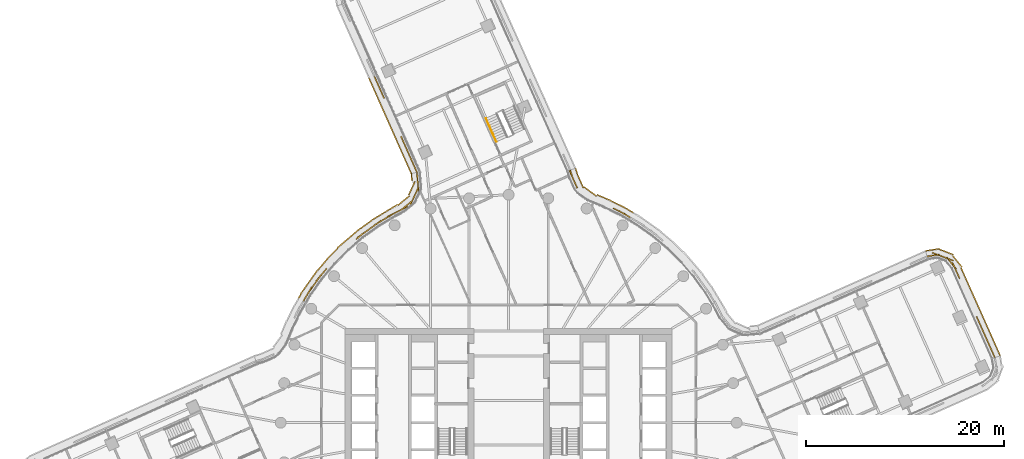
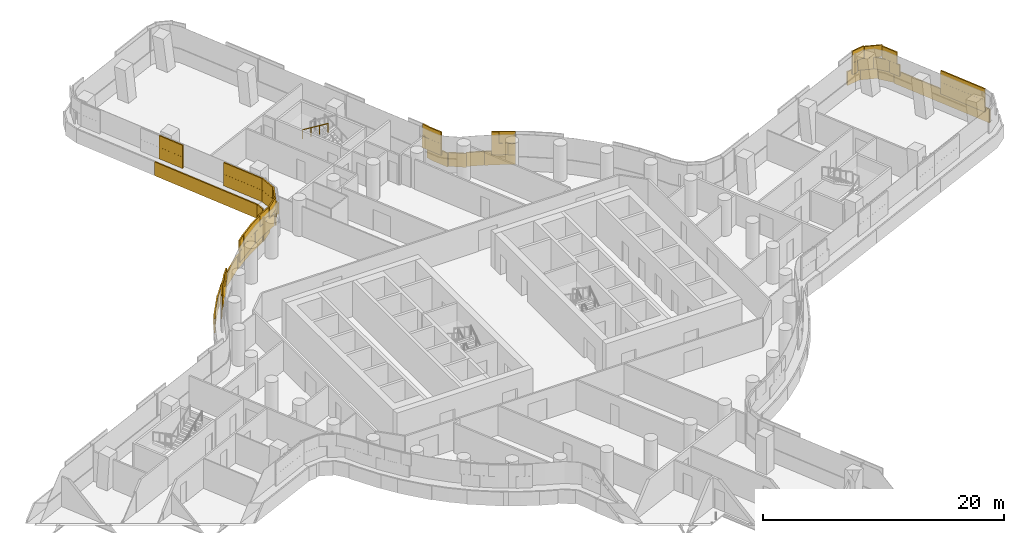
# One storey, part 33 of 35: 4 coverings, 1 railing.
"""IFC4 building model written with IfcOpenShell, lengths in metres."""

from ifc_helpers import new_model, si_unit, direction, frame, origin, origin_2d, place, context, subcontext, project, spatial, rectangle, circle, extrude, material, layer, layer_set, type_object, element, save


model = new_model("IFC4")

# Units and contexts
model_context = context("Model", 3, precision=1e-05, world=origin(), true_north=direction((0.0, 1.0)))
body_context = subcontext(model_context, "Body", "Model", "MODEL_VIEW")
ifc_project = project(units=[si_unit("LENGTHUNIT", "METRE"), si_unit("AREAUNIT", "SQUARE_METRE"), si_unit("VOLUMEUNIT", "CUBIC_METRE"), si_unit("PLANEANGLEUNIT", "RADIAN"), si_unit("MASSUNIT", "GRAM", prefix="KILO")], contexts=[model_context])

# Site, building, storey
site_placement = place(None, origin())
site = spatial("IfcSite", under=ifc_project, at=site_placement, CompositionType="ELEMENT")
building_placement = place(site_placement, origin())
building = spatial("IfcBuilding", under=site, at=building_placement, Name="Tamarind Cross Interchange Tower", CompositionType="ELEMENT")
storey_placement = place(building_placement, frame((0.0, 0.0, 121.0)))
storey = spatial("IfcBuildingStorey", under=building, at=storey_placement, Name="L29", CompositionType="ELEMENT", Elevation=121.0)

# Railing
ifc_material_1 = material(Name="Stair handrail")
railing_type = type_object("IfcRailingType", Name="Stair handrail", PredefinedType="HANDRAIL", material=ifc_material_1)
railing_placement = place(storey_placement, frame((-2.300048828125, 30.718994140625, 2.04541015625)))
element("IfcRailing", 1, at=railing_placement, inside=storey, type_object=railing_type, Name="L29 ST4 stair handrail 2", PredefinedType="HANDRAIL", context=body_context, shape_type="SweptSolid", body=[
    extrude(circle(Radius=0.02392578125, at=origin_2d()), frame((0.0, 0.0, 0.8759765625), z_axis=(0.340586139296, -0.763786209545, 0.548298921966), x_axis=(0.913311326305, 0.407262103864, 0.0)), (0.0, 0.0, 1.0), 3.10888671875),
    extrude(circle(Radius=0.02099609375, at=origin_2d()), origin(), (0.0, 0.0, 1.0), 0.851806640625),
    extrude(circle(Radius=0.02099609375, at=origin_2d()), frame((0.35302734375, -0.79150390625, 0.568115234375)), (0.0, 0.0, 1.0), 0.851806640625),
    extrude(circle(Radius=0.02099609375, at=origin_2d()), frame((0.705810546875, -1.5830078125, 1.136474609375)), (0.0, 0.0, 1.0), 0.851806640625),
    extrude(circle(Radius=0.02099609375, at=origin_2d()), frame((1.058837890625, -2.37451171875, 1.70458984375)), (0.0, 0.0, 1.0), 0.851806640625),
])

# Coverings
ifc_material_2 = material(Name="Terracotta", Category="masonry")
ifc_layer = layer(ifc_material_2, 0.1201171875)
ifc_layer_set = layer_set([ifc_layer], Name="Terracotta")
covering_type = type_object("IfcCoveringType", Name="Terracotta baguette screen unit", PredefinedType="MOLDING", material=ifc_layer_set)
covering_1_placement = place(storey_placement, origin())
element("IfcCovering", 2, at=covering_1_placement, inside=storey, type_object=covering_type, Name="SCR-L29-08-00", PredefinedType="MOLDING", context=body_context, shape_type="SweptSolid", body=[
    extrude(rectangle(XDim=0.760009765625, YDim=0.1201171875, at=origin_2d()), frame((48.896484375, 6.915283203125, 1.404052734375), z_axis=(0.0, 0.0, 1.0), x_axis=(-0.407221294835, 0.913329522698, 0.0)), (0.0, 0.0, 1.0), 1.1669921875),
    extrude(rectangle(XDim=1.52001953125, YDim=0.1201171875, at=origin_2d()), frame((48.4384765625, 7.94287109375, 1.404052734375), z_axis=(0.0, 0.0, 1.0), x_axis=(-0.407221294835, 0.913329522698, 0.0)), (0.0, 0.0, 1.0), 1.1669921875),
    extrude(rectangle(XDim=1.52001953125, YDim=0.1201171875, at=origin_2d()), frame((47.82763671875, 9.312744140625, 1.404052734375), z_axis=(0.0, 0.0, 1.0), x_axis=(-0.407221294835, 0.913329522698, 0.0)), (0.0, 0.0, 1.0), 1.1669921875),
    extrude(rectangle(XDim=0.784912109375, YDim=0.1201171875, at=origin_2d()), frame((47.364501953125, 10.3515625, 1.404052734375), z_axis=(0.0, 0.0, 1.0), x_axis=(-0.407221294835, 0.913329522698, 0.0)), (0.0, 0.0, 1.0), 1.1669921875),
    extrude(rectangle(XDim=1.03515625, YDim=0.1201171875, at=origin_2d()), frame((45.28759765625, 15.009765625, 1.404052734375), z_axis=(0.0, 0.0, 1.0), x_axis=(-0.407221294835, 0.913329522698, 0.0)), (0.0, 0.0, 1.0), 1.1669921875),
    extrude(rectangle(XDim=1.52001953125, YDim=0.1201171875, at=origin_2d()), frame((44.66748046875, 16.097900390625, 1.404052734375), z_axis=(0.0, 0.0, 1.0), x_axis=(-0.629732640625, 0.776811947212, 0.0)), (0.0, 0.0, 1.0), 1.1669921875),
    extrude(rectangle(XDim=1.52001953125, YDim=0.1201171875, at=origin_2d()), frame((43.44775390625, 16.8837890625, 1.404052734375), z_axis=(0.0, 0.0, 1.0), x_axis=(-0.93377043798, 0.357872559936, 0.0)), (0.0, 0.0, 1.0), 1.1669921875),
    extrude(rectangle(XDim=0.509521484375, YDim=0.1201171875, at=origin_2d()), frame((42.469970703125, 16.81884765625, 1.404052734375), z_axis=(0.0, 0.0, 1.0), x_axis=(-0.987605200561, -0.156958490768, 0.0)), (0.0, 0.0, 1.0), 1.1669921875),
    extrude(rectangle(XDim=1.510009765625, YDim=0.1201171875, at=origin_2d()), frame((48.743896484375, 7.2578125, 2.5791015625), z_axis=(0.0, 0.0, 1.0), x_axis=(-0.407221294835, 0.913329522698, 0.0)), (0.0, 0.0, 1.0), 1.1669921875),
    extrude(rectangle(XDim=1.52001953125, YDim=0.1201171875, at=origin_2d()), frame((48.133056640625, 8.6279296875, 2.5791015625), z_axis=(0.0, 0.0, 1.0), x_axis=(-0.407221294835, 0.913329522698, 0.0)), (0.0, 0.0, 1.0), 1.1669921875),
    extrude(rectangle(XDim=1.52001953125, YDim=0.1201171875, at=origin_2d()), frame((47.522216796875, 9.997802734375, 2.5791015625), z_axis=(0.0, 0.0, 1.0), x_axis=(-0.407221294835, 0.913329522698, 0.0)), (0.0, 0.0, 1.0), 1.1669921875),
    extrude(rectangle(XDim=1.52001953125, YDim=0.1201171875, at=origin_2d()), frame((45.078857421875, 15.477783203125, 2.5791015625), z_axis=(0.0, 0.0, 1.0), x_axis=(-0.407221294835, 0.913329522698, 0.0)), (0.0, 0.0, 1.0), 1.1669921875),
    extrude(rectangle(XDim=1.52001953125, YDim=0.1201171875, at=origin_2d()), frame((44.14794921875, 16.615478515625, 2.5791015625), z_axis=(0.0, 0.0, 1.0), x_axis=(-0.93377043798, 0.357872559936, 0.0)), (0.0, 0.0, 1.0), 1.1669921875),
    extrude(rectangle(XDim=1.259521484375, YDim=0.1201171875, at=origin_2d()), frame((42.84033203125, 16.877685546875, 2.5791015625), z_axis=(0.0, 0.0, 1.0), x_axis=(-0.987605200561, -0.156958490768, 0.0)), (0.0, 0.0, 1.0), 1.1669921875),
    extrude(rectangle(XDim=0.760009765625, YDim=0.1201171875, at=origin_2d()), frame((49.449462890625, 7.084716796875, 0.00390625), z_axis=(0.0, 0.0, 1.0), x_axis=(-0.407221294835, 0.913329522698, 0.0)), (0.0, 0.0, 1.0), 1.39208984375),
    extrude(rectangle(XDim=1.52001953125, YDim=0.1201171875, at=origin_2d()), frame((48.993408203125, 8.107666015625, 0.00390625), z_axis=(0.0, 0.0, 1.0), x_axis=(-0.407221294835, 0.913329522698, 0.0)), (0.0, 0.0, 1.0), 1.39208984375),
    extrude(rectangle(XDim=1.52001953125, YDim=0.1201171875, at=origin_2d()), frame((48.382568359375, 9.4775390625, 0.00390625), z_axis=(0.0, 0.0, 1.0), x_axis=(-0.407221294835, 0.913329522698, 0.0)), (0.0, 0.0, 1.0), 1.39208984375),
    extrude(rectangle(XDim=1.52001953125, YDim=0.1201171875, at=origin_2d()), frame((47.771728515625, 10.84765625, 0.00390625), z_axis=(0.0, 0.0, 1.0), x_axis=(-0.407221294835, 0.913329522698, 0.0)), (0.0, 0.0, 1.0), 1.39208984375),
    extrude(rectangle(XDim=1.52001953125, YDim=0.1201171875, at=origin_2d()), frame((47.160888671875, 12.217529296875, 0.00390625), z_axis=(0.0, 0.0, 1.0), x_axis=(-0.407221294835, 0.913329522698, 0.0)), (0.0, 0.0, 1.0), 1.39208984375),
    extrude(rectangle(XDim=1.52001953125, YDim=0.1201171875, at=origin_2d()), frame((46.550048828125, 13.587646484375, 0.00390625), z_axis=(0.0, 0.0, 1.0), x_axis=(-0.407221294835, 0.913329522698, 0.0)), (0.0, 0.0, 1.0), 1.39208984375),
    extrude(rectangle(XDim=1.52001953125, YDim=0.1201171875, at=origin_2d()), frame((45.939208984375, 14.95751953125, 0.00390625), z_axis=(0.0, 0.0, 1.0), x_axis=(-0.407221294835, 0.913329522698, 0.0)), (0.0, 0.0, 1.0), 1.39208984375),
    extrude(rectangle(XDim=1.52001953125, YDim=0.1201171875, at=origin_2d()), frame((45.256103515625, 16.283203125, 0.00390625), z_axis=(0.0, 0.0, 1.0), x_axis=(-0.629732640625, 0.776811947212, 0.0)), (0.0, 0.0, 1.0), 1.39208984375),
    extrude(rectangle(XDim=1.52001953125, YDim=0.1201171875, at=origin_2d()), frame((44.152099609375, 17.228515625, 0.00390625), z_axis=(0.0, 0.0, 1.0), x_axis=(-0.93377043798, 0.357872559936, 0.0)), (0.0, 0.0, 1.0), 1.39208984375),
    extrude(rectangle(XDim=1.426513671875, YDim=0.1201171875, at=origin_2d()), frame((42.763427734375, 17.446533203125, 0.00390625), z_axis=(0.0, 0.0, 1.0), x_axis=(-0.987605200561, -0.156958490768, 0.0)), (0.0, 0.0, 1.0), 1.39208984375),
])
covering_2_placement = place(storey_placement, origin())
element("IfcCovering", 3, at=covering_2_placement, inside=storey, type_object=covering_type, Name="SCR-L29-10-01", PredefinedType="MOLDING", context=body_context, shape_type="SweptSolid", body=[
    extrude(rectangle(XDim=0.607666015625, YDim=0.1201171875, at=origin_2d()), frame((12.00732421875, 20.857421875, 1.404052734375), z_axis=(0.0, 0.0, 1.0), x_axis=(-0.861248933065, 0.508183308752, 0.0)), (0.0, 0.0, 1.0), 1.1669921875),
    extrude(rectangle(XDim=1.363037109375, YDim=0.1201171875, at=origin_2d()), frame((11.158203125, 21.335693359375, 1.404052734375), z_axis=(0.0, 0.0, 1.0), x_axis=(-0.900272776334, 0.435326231914, 0.0)), (0.0, 0.0, 1.0), 1.1669921875),
    extrude(rectangle(XDim=0.45703125, YDim=0.1201171875, at=origin_2d()), frame((6.830322265625, 23.875, 1.404052734375), z_axis=(0.0, 0.0, 1.0), x_axis=(-0.405841213169, 0.913943603125, 0.0)), (0.0, 0.0, 1.0), 1.1669921875),
    extrude(rectangle(XDim=1.52001953125, YDim=0.1201171875, at=origin_2d()), frame((6.43505859375, 24.7646484375, 1.404052734375), z_axis=(0.0, 0.0, 1.0), x_axis=(-0.405841213169, 0.913943603125, 0.0)), (0.0, 0.0, 1.0), 1.1669921875),
    extrude(rectangle(XDim=1.357666015625, YDim=0.1201171875, at=origin_2d()), frame((11.684326171875, 21.048095703125, 2.5791015625), z_axis=(0.0, 0.0, 1.0), x_axis=(-0.861248933065, 0.508183308752, 0.0)), (0.0, 0.0, 1.0), 1.1669921875),
    extrude(rectangle(XDim=0.613037109375, YDim=0.1201171875, at=origin_2d()), frame((10.820556640625, 21.4990234375, 2.5791015625), z_axis=(0.0, 0.0, 1.0), x_axis=(-0.900272776334, 0.435326231914, 0.0)), (0.0, 0.0, 1.0), 1.1669921875),
    extrude(rectangle(XDim=1.20703125, YDim=0.1201171875, at=origin_2d()), frame((6.677978515625, 24.2177734375, 2.5791015625), z_axis=(0.0, 0.0, 1.0), x_axis=(-0.405841213169, 0.913943603125, 0.0)), (0.0, 0.0, 1.0), 1.1669921875),
    extrude(rectangle(XDim=0.763427734375, YDim=0.1201171875, at=origin_2d()), frame((6.320556640625, 25.12353515625, 2.5791015625), z_axis=(0.0, 0.0, 1.0), x_axis=(-0.294572908666, 0.955629008287, 0.0)), (0.0, 0.0, 1.0), 1.1669921875),
    extrude(rectangle(XDim=1.071533203125, YDim=0.1201171875, at=origin_2d()), frame((12.095703125, 21.471923828125, 0.00390625), z_axis=(0.0, 0.0, 1.0), x_axis=(-0.861248933065, 0.508183308752, 0.0)), (0.0, 0.0, 1.0), 1.39208984375),
    extrude(rectangle(XDim=1.52001953125, YDim=0.1201171875, at=origin_2d()), frame((10.9677734375, 22.0654296875, 0.00390625), z_axis=(0.0, 0.0, 1.0), x_axis=(-0.900272776334, 0.435326231914, 0.0)), (0.0, 0.0, 1.0), 1.39208984375),
    extrude(rectangle(XDim=1.52001953125, YDim=0.1201171875, at=origin_2d()), frame((9.612060546875, 22.706787109375, 0.00390625), z_axis=(0.0, 0.0, 1.0), x_axis=(-0.923842340021, 0.382773210642, 0.0)), (0.0, 0.0, 1.0), 1.39208984375),
    extrude(rectangle(XDim=1.52001953125, YDim=0.1201171875, at=origin_2d()), frame((8.245849609375, 23.315673828125, 0.00390625), z_axis=(0.0, 0.0, 1.0), x_axis=(-0.806658779046, 0.591017439834, 0.0)), (0.0, 0.0, 1.0), 1.39208984375),
    extrude(rectangle(XDim=1.52001953125, YDim=0.1201171875, at=origin_2d()), frame((7.2353515625, 24.377197265625, 0.00390625), z_axis=(0.0, 0.0, 1.0), x_axis=(-0.405841213169, 0.913943603125, 0.0)), (0.0, 0.0, 1.0), 1.39208984375),
    extrude(rectangle(XDim=0.65869140625, YDim=0.1201171875, at=origin_2d()), frame((6.844970703125, 25.370849609375, 0.00390625), z_axis=(0.0, 0.0, 1.0), x_axis=(-0.294572908666, 0.955629008287, 0.0)), (0.0, 0.0, 1.0), 1.39208984375),
])
covering_3_placement = place(storey_placement, origin())
element("IfcCovering", 4, at=covering_3_placement, inside=storey, type_object=covering_type, Name="SCR-L29-13-01", PredefinedType="MOLDING", context=body_context, shape_type="SweptSolid", body=[
    extrude(rectangle(XDim=0.27001953125, YDim=0.1201171875, at=origin_2d()), frame((-13.48583984375, 34.801025390625, 1.404052734375), z_axis=(0.0, 0.0, 1.0), x_axis=(0.40562364305, -0.914040185221, 0.0)), (0.0, 0.0, 1.0), 1.1669921875),
    extrude(rectangle(XDim=1.52001953125, YDim=0.1201171875, at=origin_2d()), frame((-13.12890625, 33.996826171875, 1.404052734375), z_axis=(0.0, 0.0, 1.0), x_axis=(0.40562364305, -0.914040185221, 0.0)), (0.0, 0.0, 1.0), 1.1669921875),
    extrude(rectangle(XDim=0.649169921875, YDim=0.1201171875, at=origin_2d()), frame((-12.695068359375, 33.01904296875, 1.404052734375), z_axis=(0.0, 0.0, 1.0), x_axis=(0.40562364305, -0.914040185221, 0.0)), (0.0, 0.0, 1.0), 1.1669921875),
    extrude(rectangle(XDim=1.170654296875, YDim=0.1201171875, at=origin_2d()), frame((-10.62646484375, 28.357421875, 1.404052734375), z_axis=(0.0, 0.0, 1.0), x_axis=(0.40562364305, -0.914040185221, 0.0)), (0.0, 0.0, 1.0), 1.1669921875),
    extrude(rectangle(XDim=1.52001953125, YDim=0.1201171875, at=origin_2d()), frame((-10.086669921875, 27.1416015625, 1.404052734375), z_axis=(0.0, 0.0, 1.0), x_axis=(0.40562364305, -0.914040185221, 0.0)), (0.0, 0.0, 1.0), 1.1669921875),
    extrude(rectangle(XDim=1.305908203125, YDim=0.1201171875, at=origin_2d()), frame((-9.519775390625, 25.86376953125, 1.404052734375), z_axis=(0.0, 0.0, 1.0), x_axis=(0.40562364305, -0.914040185221, 0.0)), (0.0, 0.0, 1.0), 1.1669921875),
    extrude(rectangle(XDim=1.02001953125, YDim=0.1201171875, at=origin_2d()), frame((-13.333740234375, 34.458251953125, 2.5791015625), z_axis=(0.0, 0.0, 1.0), x_axis=(0.40562364305, -0.914040185221, 0.0)), (0.0, 0.0, 1.0), 1.1669921875),
    extrude(rectangle(XDim=1.399169921875, YDim=0.1201171875, at=origin_2d()), frame((-12.84716796875, 33.36181640625, 2.5791015625), z_axis=(0.0, 0.0, 1.0), x_axis=(0.40562364305, -0.914040185221, 0.0)), (0.0, 0.0, 1.0), 1.1669921875),
    extrude(rectangle(XDim=0.420654296875, YDim=0.1201171875, at=origin_2d()), frame((-10.778564453125, 28.7001953125, 2.5791015625), z_axis=(0.0, 0.0, 1.0), x_axis=(0.40562364305, -0.914040185221, 0.0)), (0.0, 0.0, 1.0), 1.1669921875),
    extrude(rectangle(XDim=1.52001953125, YDim=0.1201171875, at=origin_2d()), frame((-10.39111328125, 27.8271484375, 2.5791015625), z_axis=(0.0, 0.0, 1.0), x_axis=(0.40562364305, -0.914040185221, 0.0)), (0.0, 0.0, 1.0), 1.1669921875),
    extrude(rectangle(XDim=1.52001953125, YDim=0.1201171875, at=origin_2d()), frame((-9.782470703125, 26.4560546875, 2.5791015625), z_axis=(0.0, 0.0, 1.0), x_axis=(0.40562364305, -0.914040185221, 0.0)), (0.0, 0.0, 1.0), 1.1669921875),
    extrude(rectangle(XDim=0.555908203125, YDim=0.1201171875, at=origin_2d()), frame((-9.36767578125, 25.52099609375, 2.5791015625), z_axis=(0.0, 0.0, 1.0), x_axis=(0.40562364305, -0.914040185221, 0.0)), (0.0, 0.0, 1.0), 1.1669921875),
    extrude(rectangle(XDim=0.279052734375, YDim=0.1201171875, at=origin_2d()), frame((-14.040771484375, 34.636474609375, 0.00390625), z_axis=(0.0, 0.0, 1.0), x_axis=(0.40562364305, -0.914040185221, 0.0)), (0.0, 0.0, 1.0), 1.39208984375),
    extrude(rectangle(XDim=1.52001953125, YDim=0.1201171875, at=origin_2d()), frame((-13.68408203125, 33.83251953125, 0.00390625), z_axis=(0.0, 0.0, 1.0), x_axis=(0.40562364305, -0.914040185221, 0.0)), (0.0, 0.0, 1.0), 1.39208984375),
    extrude(rectangle(XDim=1.52001953125, YDim=0.1201171875, at=origin_2d()), frame((-13.07568359375, 32.46142578125, 0.00390625), z_axis=(0.0, 0.0, 1.0), x_axis=(0.40562364305, -0.914040185221, 0.0)), (0.0, 0.0, 1.0), 1.39208984375),
    extrude(rectangle(XDim=1.52001953125, YDim=0.1201171875, at=origin_2d()), frame((-12.46728515625, 31.090576171875, 0.00390625), z_axis=(0.0, 0.0, 1.0), x_axis=(0.40562364305, -0.914040185221, 0.0)), (0.0, 0.0, 1.0), 1.39208984375),
    extrude(rectangle(XDim=1.52001953125, YDim=0.1201171875, at=origin_2d()), frame((-11.85888671875, 29.719482421875, 0.00390625), z_axis=(0.0, 0.0, 1.0), x_axis=(0.40562364305, -0.914040185221, 0.0)), (0.0, 0.0, 1.0), 1.39208984375),
    extrude(rectangle(XDim=1.52001953125, YDim=0.1201171875, at=origin_2d()), frame((-11.250244140625, 28.348388671875, 0.00390625), z_axis=(0.0, 0.0, 1.0), x_axis=(0.40562364305, -0.914040185221, 0.0)), (0.0, 0.0, 1.0), 1.39208984375),
    extrude(rectangle(XDim=1.52001953125, YDim=0.1201171875, at=origin_2d()), frame((-10.641845703125, 26.977294921875, 0.00390625), z_axis=(0.0, 0.0, 1.0), x_axis=(0.40562364305, -0.914040185221, 0.0)), (0.0, 0.0, 1.0), 1.39208984375),
    extrude(rectangle(XDim=1.28466796875, YDim=0.1201171875, at=origin_2d()), frame((-10.0810546875, 25.713623046875, 0.00390625), z_axis=(0.0, 0.0, 1.0), x_axis=(0.40562364305, -0.914040185221, 0.0)), (0.0, 0.0, 1.0), 1.39208984375),
])
covering_4_placement = place(storey_placement, origin())
element("IfcCovering", 5, at=covering_4_placement, inside=storey, type_object=covering_type, Name="SCR-L29-14-00", PredefinedType="MOLDING", context=body_context, shape_type="SweptSolid", body=[
    extrude(rectangle(XDim=0.760009765625, YDim=0.1201171875, at=origin_2d()), frame((-9.224853515625, 24.89794921875, 1.404052734375), z_axis=(0.0, 0.0, 1.0), x_axis=(0.085508687093, -0.996337424988, 0.0)), (0.0, 0.0, 1.0), 1.1669921875),
    extrude(rectangle(XDim=1.52001953125, YDim=0.1201171875, at=origin_2d()), frame((-9.128662109375, 23.777099609375, 1.404052734375), z_axis=(0.0, 0.0, 1.0), x_axis=(0.085508687093, -0.996337424988, 0.0)), (0.0, 0.0, 1.0), 1.1669921875),
    extrude(rectangle(XDim=1.52001953125, YDim=0.1201171875, at=origin_2d()), frame((-9.717041015625, 22.408203125, 1.404052734375), z_axis=(0.0, 0.0, 1.0), x_axis=(-0.419560569226, -0.907727342736, 0.0)), (0.0, 0.0, 1.0), 1.1669921875),
    extrude(rectangle(XDim=1.52001953125, YDim=0.1201171875, at=origin_2d()), frame((-10.881103515625, 21.470947265625, 1.404052734375), z_axis=(0.0, 0.0, 1.0), x_axis=(-0.894076863218, -0.447913566058, 0.0)), (0.0, 0.0, 1.0), 1.1669921875),
    extrude(rectangle(XDim=1.52001953125, YDim=0.1201171875, at=origin_2d()), frame((-12.1943359375, 20.74853515625, 1.404052734375), z_axis=(0.0, 0.0, 1.0), x_axis=(-0.856843065292, -0.515577308909, 0.0)), (0.0, 0.0, 1.0), 1.1669921875),
    extrude(rectangle(XDim=1.52001953125, YDim=0.1201171875, at=origin_2d()), frame((-13.468017578125, 19.95751953125, 1.404052734375), z_axis=(0.0, 0.0, 1.0), x_axis=(-0.811340475102, -0.584573890505, 0.0)), (0.0, 0.0, 1.0), 1.1669921875),
    extrude(rectangle(XDim=1.52001953125, YDim=0.1201171875, at=origin_2d()), frame((-14.68505859375, 19.080810546875, 1.404052734375), z_axis=(0.0, 0.0, 1.0), x_axis=(-0.811340475102, -0.584573890505, 0.0)), (0.0, 0.0, 1.0), 1.1669921875),
    extrude(rectangle(XDim=1.52001953125, YDim=0.1201171875, at=origin_2d()), frame((-18.937744140625, 14.87060546875, 1.404052734375), z_axis=(0.0, 0.0, 1.0), x_axis=(-0.643009266048, -0.765858396687, 0.0)), (0.0, 0.0, 1.0), 1.1669921875),
    extrude(rectangle(XDim=1.52001953125, YDim=0.1201171875, at=origin_2d()), frame((-19.817626953125, 13.656494140625, 1.404052734375), z_axis=(0.0, 0.0, 1.0), x_axis=(-0.577568978284, -0.816341886298, 0.0)), (0.0, 0.0, 1.0), 1.1669921875),
    extrude(rectangle(XDim=0.912353515625, YDim=0.1201171875, at=origin_2d()), frame((-20.476318359375, 12.6533203125, 1.404052734375), z_axis=(0.0, 0.0, 1.0), x_axis=(-0.508183308752, -0.861248933065, 0.0)), (0.0, 0.0, 1.0), 1.1669921875),
    extrude(rectangle(XDim=1.510009765625, YDim=0.1201171875, at=origin_2d()), frame((-9.19287109375, 24.524169921875, 2.5791015625), z_axis=(0.0, 0.0, 1.0), x_axis=(0.085508687093, -0.996337424988, 0.0)), (0.0, 0.0, 1.0), 1.1669921875),
    extrude(rectangle(XDim=1.52001953125, YDim=0.1201171875, at=origin_2d()), frame((-9.40234375, 23.089111328125, 2.5791015625), z_axis=(0.0, 0.0, 1.0), x_axis=(-0.419560569226, -0.907727342736, 0.0)), (0.0, 0.0, 1.0), 1.1669921875),
    extrude(rectangle(XDim=1.52001953125, YDim=0.1201171875, at=origin_2d()), frame((-10.287109375, 21.9248046875, 2.5791015625), z_axis=(0.0, 0.0, 1.0), x_axis=(-0.77301630352, -0.634386155659, 0.0)), (0.0, 0.0, 1.0), 1.1669921875),
    extrude(rectangle(XDim=1.52001953125, YDim=0.1201171875, at=origin_2d()), frame((-11.5517578125, 21.135009765625, 2.5791015625), z_axis=(0.0, 0.0, 1.0), x_axis=(-0.894076863218, -0.447913566058, 0.0)), (0.0, 0.0, 1.0), 1.1669921875),
    extrude(rectangle(XDim=1.52001953125, YDim=0.1201171875, at=origin_2d()), frame((-12.837158203125, 20.36181640625, 2.5791015625), z_axis=(0.0, 0.0, 1.0), x_axis=(-0.856843065292, -0.515577308909, 0.0)), (0.0, 0.0, 1.0), 1.1669921875),
    extrude(rectangle(XDim=1.52001953125, YDim=0.1201171875, at=origin_2d()), frame((-14.076416015625, 19.51904296875, 2.5791015625), z_axis=(0.0, 0.0, 1.0), x_axis=(-0.811340475102, -0.584573890505, 0.0)), (0.0, 0.0, 1.0), 1.1669921875),
    extrude(rectangle(XDim=0.91552734375, YDim=0.1201171875, at=origin_2d()), frame((-15.041259765625, 18.802001953125, 2.5791015625), z_axis=(0.0, 0.0, 1.0), x_axis=(-0.760295606781, -0.64957723968, 0.0)), (0.0, 0.0, 1.0), 1.1669921875),
    extrude(rectangle(XDim=0.904541015625, YDim=0.1201171875, at=origin_2d()), frame((-18.650146484375, 15.213134765625, 2.5791015625), z_axis=(0.0, 0.0, 1.0), x_axis=(-0.643009266048, -0.765858396687, 0.0)), (0.0, 0.0, 1.0), 1.1669921875),
    extrude(rectangle(XDim=1.52001953125, YDim=0.1201171875, at=origin_2d()), frame((-19.38427734375, 14.268798828125, 2.5791015625), z_axis=(0.0, 0.0, 1.0), x_axis=(-0.577568978284, -0.816341886298, 0.0)), (0.0, 0.0, 1.0), 1.1669921875),
    extrude(rectangle(XDim=1.52001953125, YDim=0.1201171875, at=origin_2d()), frame((-20.2470703125, 13.0419921875, 2.5791015625), z_axis=(0.0, 0.0, 1.0), x_axis=(-0.508183308752, -0.861248933065, 0.0)), (0.0, 0.0, 1.0), 1.1669921875),
    extrude(rectangle(XDim=0.162353515625, YDim=0.1201171875, at=origin_2d()), frame((-20.6669921875, 12.330322265625, 2.5791015625), z_axis=(0.0, 0.0, 1.0), x_axis=(-0.508183308752, -0.861248933065, 0.0)), (0.0, 0.0, 1.0), 1.1669921875),
    extrude(rectangle(XDim=0.760009765625, YDim=0.1201171875, at=origin_2d()), frame((-9.7880859375, 24.748046875, 0.00390625), z_axis=(0.0, 0.0, 1.0), x_axis=(0.085508687093, -0.996337424988, 0.0)), (0.0, 0.0, 1.0), 1.39208984375),
    extrude(rectangle(XDim=1.52001953125, YDim=0.1201171875, at=origin_2d()), frame((-9.77685546875, 23.64697265625, 0.00390625), z_axis=(0.0, 0.0, 1.0), x_axis=(-0.419560569226, -0.907727342736, 0.0)), (0.0, 0.0, 1.0), 1.39208984375),
    extrude(rectangle(XDim=1.52001953125, YDim=0.1201171875, at=origin_2d()), frame((-10.584716796875, 22.42333984375, 0.00390625), z_axis=(0.0, 0.0, 1.0), x_axis=(-0.77301630352, -0.634386155659, 0.0)), (0.0, 0.0, 1.0), 1.39208984375),
    extrude(rectangle(XDim=1.52001953125, YDim=0.1201171875, at=origin_2d()), frame((-11.845947265625, 21.628173828125, 0.00390625), z_axis=(0.0, 0.0, 1.0), x_axis=(-0.856843065292, -0.515577308909, 0.0)), (0.0, 0.0, 1.0), 1.39208984375),
    extrude(rectangle(XDim=1.52001953125, YDim=0.1201171875, at=origin_2d()), frame((-13.131103515625, 20.854736328125, 0.00390625), z_axis=(0.0, 0.0, 1.0), x_axis=(-0.856843065292, -0.515577308909, 0.0)), (0.0, 0.0, 1.0), 1.39208984375),
    extrude(rectangle(XDim=1.52001953125, YDim=0.1201171875, at=origin_2d()), frame((-14.371826171875, 20.013916015625, 0.00390625), z_axis=(0.0, 0.0, 1.0), x_axis=(-0.811340475102, -0.584573890505, 0.0)), (0.0, 0.0, 1.0), 1.39208984375),
    extrude(rectangle(XDim=1.52001953125, YDim=0.1201171875, at=origin_2d()), frame((-15.56640625, 19.1083984375, 0.00390625), z_axis=(0.0, 0.0, 1.0), x_axis=(-0.760295606781, -0.64957723968, 0.0)), (0.0, 0.0, 1.0), 1.39208984375),
    extrude(rectangle(XDim=1.52001953125, YDim=0.1201171875, at=origin_2d()), frame((-16.706787109375, 18.134033203125, 0.00390625), z_axis=(0.0, 0.0, 1.0), x_axis=(-0.760295606781, -0.64957723968, 0.0)), (0.0, 0.0, 1.0), 1.39208984375),
    extrude(rectangle(XDim=1.52001953125, YDim=0.1201171875, at=origin_2d()), frame((-17.768310546875, 17.074462890625, 0.00390625), z_axis=(0.0, 0.0, 1.0), x_axis=(-0.704057148523, -0.710143317658, 0.0)), (0.0, 0.0, 1.0), 1.39208984375),
    extrude(rectangle(XDim=1.52001953125, YDim=0.1201171875, at=origin_2d()), frame((-18.771484375, 15.961181640625, 0.00390625), z_axis=(0.0, 0.0, 1.0), x_axis=(-0.643009266048, -0.765858396687, 0.0)), (0.0, 0.0, 1.0), 1.39208984375),
    extrude(rectangle(XDim=1.52001953125, YDim=0.1201171875, at=origin_2d()), frame((-19.714599609375, 14.7958984375, 0.00390625), z_axis=(0.0, 0.0, 1.0), x_axis=(-0.577568978284, -0.816341886298, 0.0)), (0.0, 0.0, 1.0), 1.39208984375),
    extrude(rectangle(XDim=1.52001953125, YDim=0.1201171875, at=origin_2d()), frame((-20.5810546875, 13.5712890625, 0.00390625), z_axis=(0.0, 0.0, 1.0), x_axis=(-0.577568978284, -0.816341886298, 0.0)), (0.0, 0.0, 1.0), 1.39208984375),
    extrude(rectangle(XDim=0.448486328125, YDim=0.1201171875, at=origin_2d()), frame((-21.085693359375, 12.750244140625, 0.00390625), z_axis=(0.0, 0.0, 1.0), x_axis=(-0.508183308752, -0.861248933065, 0.0)), (0.0, 0.0, 1.0), 1.39208984375),
])

save(model, "model.ifc")
